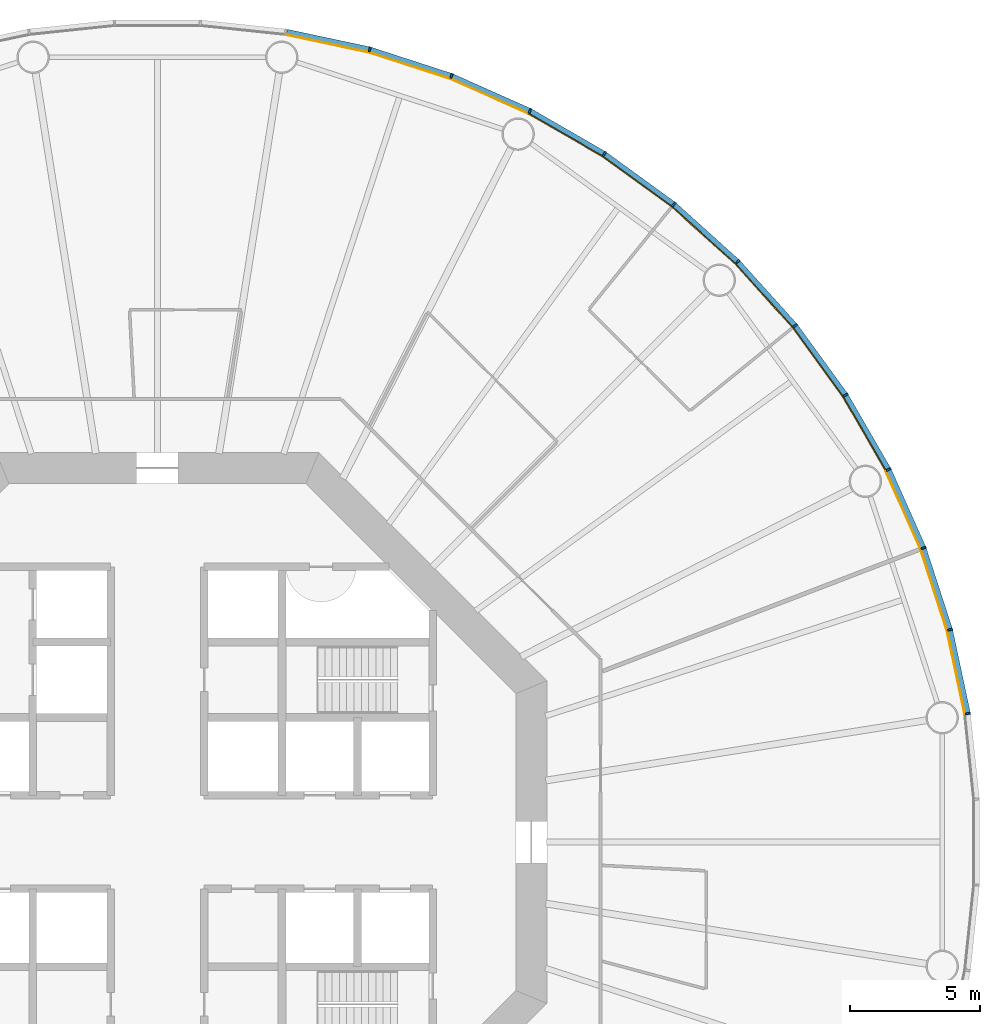
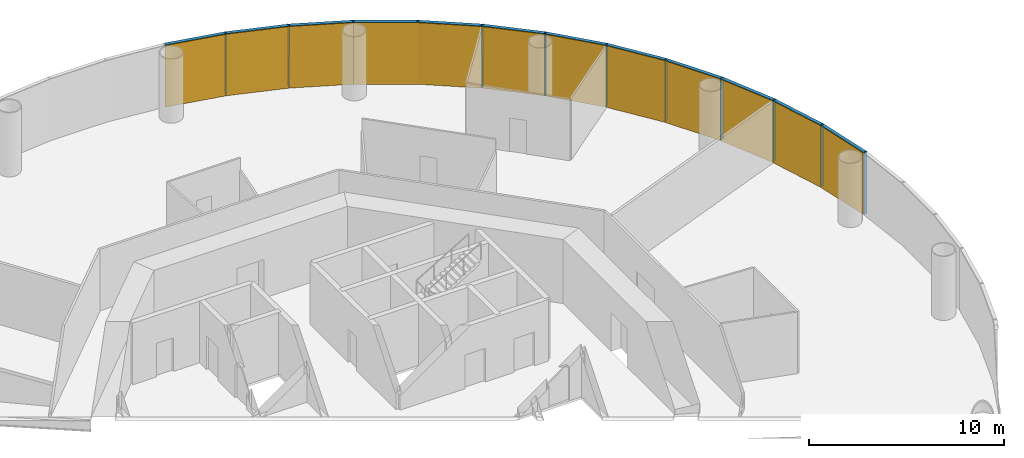
# One storey, part 12 of 13: 24 members, 4 curtain walls.
"""IFC4 building model written with IfcOpenShell, lengths in metres."""

from ifc_helpers import new_model, si_unit, direction, frame, origin, origin_2d, place, context, subcontext, project, spatial, polyline, rectangle, outline, extrude, material, layer, layer_set, material_profile, profile_set, type_object, element, aggregate, save


model = new_model("IFC4")

# Units and contexts
model_context = context("Model", 3, precision=1e-05, world=origin(), true_north=direction((0.0, 1.0)))
body_context = subcontext(model_context, "Body", "Model", "MODEL_VIEW")
ifc_project = project(units=[si_unit("LENGTHUNIT", "METRE"), si_unit("AREAUNIT", "SQUARE_METRE"), si_unit("VOLUMEUNIT", "CUBIC_METRE"), si_unit("PLANEANGLEUNIT", "RADIAN"), si_unit("MASSUNIT", "GRAM", prefix="KILO")], contexts=[model_context])

# Member
ifc_material_1 = material(Name="Anodised aluminium", Category="aluminium")
ifc_material_profile_1 = material_profile(ifc_material_1, rectangle(XDim=0.070068359375, YDim=0.199951171875, at=origin_2d()), Name="Mullion 70 x 200 mm anodised aluminium")
ifc_profile_set_1 = profile_set([ifc_material_profile_1], Name="Anodised aluminium")
member_type_1 = type_object("IfcMemberType", Name="Mullion 70 x 200 mm anodised aluminium", PredefinedType="MULLION", material=ifc_profile_set_1)
site_placement = place(None, origin())
building_placement = place(site_placement, origin())
storey_placement = place(building_placement, frame((0.0, 0.0, 108.0)))
member_1_placement = place(storey_placement, frame((121.2109375, 84.943359375, 0.0), z_axis=(0.0, 0.0, 1.0), x_axis=(-0.15643446504, 0.987688340595, 0.0)))
member_1 = element("IfcMember", 1, at=member_1_placement, type_object=member_type_1, Name="MULLION L24-00", PredefinedType="MULLION", context=body_context, shape_type="SweptSolid", body=[
    extrude(rectangle(XDim=0.070068359375, YDim=0.199951171875, at=origin_2d()), origin(), (0.0, 0.0, 1.0), 3.85009765625),
])

member_2_placement = place(storey_placement, frame((120.523193359375, 88.1787109375, 0.0), z_axis=(0.0, 0.0, 1.0), x_axis=(-0.258819045103, 0.965925826289, 0.0)))
member_2 = element("IfcMember", 2, at=member_2_placement, type_object=member_type_1, Name="MULLION L24-01", PredefinedType="MULLION", context=body_context, shape_type="SweptSolid", body=[
    extrude(rectangle(XDim=0.070068359375, YDim=0.199951171875, at=origin_2d()), origin(), (0.0, 0.0, 1.0), 3.85009765625),
])

member_3_placement = place(storey_placement, frame((119.501220703125, 91.324462890625, 0.0), z_axis=(0.0, 0.0, 1.0), x_axis=(-0.358367949545, 0.933580426497, 0.0)))
member_3 = element("IfcMember", 3, at=member_3_placement, type_object=member_type_1, Name="MULLION L24-02", PredefinedType="MULLION", context=body_context, shape_type="SweptSolid", body=[
    extrude(rectangle(XDim=0.070068359375, YDim=0.199951171875, at=origin_2d()), origin(), (0.0, 0.0, 1.0), 3.85009765625),
])

member_4_placement = place(storey_placement, frame((118.15576171875, 94.34619140625, 0.0), z_axis=(0.0, 0.0, 1.0), x_axis=(-0.45399049974, 0.891006524188, 0.0)))
member_4 = element("IfcMember", 4, at=member_4_placement, type_object=member_type_1, Name="MULLION L24-03", PredefinedType="MULLION", context=body_context, shape_type="SweptSolid", body=[
    extrude(rectangle(XDim=0.070068359375, YDim=0.199951171875, at=origin_2d()), origin(), (0.0, 0.0, 1.0), 3.85009765625),
])

member_5_placement = place(storey_placement, frame((116.501953125, 97.210693359375, 0.0), z_axis=(0.0, 0.0, 1.0), x_axis=(-0.544639035015, 0.838670567945, 0.0)))
member_5 = element("IfcMember", 5, at=member_5_placement, type_object=member_type_1, Name="MULLION L24-04", PredefinedType="MULLION", context=body_context, shape_type="SweptSolid", body=[
    extrude(rectangle(XDim=0.070068359375, YDim=0.199951171875, at=origin_2d()), origin(), (0.0, 0.0, 1.0), 3.85009765625),
])

member_6_placement = place(storey_placement, frame((114.557861328125, 99.886474609375, 0.0), z_axis=(0.0, 0.0, 1.0), x_axis=(-0.62932039105, 0.777145961457, 0.0)))
member_6 = element("IfcMember", 6, at=member_6_placement, type_object=member_type_1, Name="MULLION L24-05", PredefinedType="MULLION", context=body_context, shape_type="SweptSolid", body=[
    extrude(rectangle(XDim=0.070068359375, YDim=0.199951171875, at=origin_2d()), origin(), (0.0, 0.0, 1.0), 3.85009765625),
])

member_7_placement = place(storey_placement, frame((112.344482421875, 102.344482421875, 0.0), z_axis=(0.0, 0.0, 1.0), x_axis=(-0.707106781187, 0.707106781187, 0.0)))
member_7 = element("IfcMember", 7, at=member_7_placement, type_object=member_type_1, Name="MULLION L24-06", PredefinedType="MULLION", context=body_context, shape_type="SweptSolid", body=[
    extrude(rectangle(XDim=0.070068359375, YDim=0.199951171875, at=origin_2d()), origin(), (0.0, 0.0, 1.0), 3.85009765625),
])

member_8_placement = place(storey_placement, frame((109.886474609375, 104.557861328125, 0.0), z_axis=(0.0, 0.0, 1.0), x_axis=(-0.777145961457, 0.62932039105, 0.0)))
member_8 = element("IfcMember", 8, at=member_8_placement, type_object=member_type_1, Name="MULLION L24-07", PredefinedType="MULLION", context=body_context, shape_type="SweptSolid", body=[
    extrude(rectangle(XDim=0.070068359375, YDim=0.199951171875, at=origin_2d()), origin(), (0.0, 0.0, 1.0), 3.85009765625),
])

member_9_placement = place(storey_placement, frame((107.210693359375, 106.501953125, 0.0), z_axis=(0.0, 0.0, 1.0), x_axis=(-0.838670567945, 0.544639035015, 0.0)))
member_9 = element("IfcMember", 9, at=member_9_placement, type_object=member_type_1, Name="MULLION L24-08", PredefinedType="MULLION", context=body_context, shape_type="SweptSolid", body=[
    extrude(rectangle(XDim=0.070068359375, YDim=0.199951171875, at=origin_2d()), origin(), (0.0, 0.0, 1.0), 3.85009765625),
])

member_10_placement = place(storey_placement, frame((104.34619140625, 108.15576171875, 0.0), z_axis=(0.0, 0.0, 1.0), x_axis=(-0.891006524188, 0.45399049974, 0.0)))
member_10 = element("IfcMember", 10, at=member_10_placement, type_object=member_type_1, Name="MULLION L24-09", PredefinedType="MULLION", context=body_context, shape_type="SweptSolid", body=[
    extrude(rectangle(XDim=0.070068359375, YDim=0.199951171875, at=origin_2d()), origin(), (0.0, 0.0, 1.0), 3.85009765625),
])

member_11_placement = place(storey_placement, frame((101.324462890625, 109.501220703125, 0.0), z_axis=(0.0, 0.0, 1.0), x_axis=(-0.933580426497, 0.358367949545, 0.0)))
member_11 = element("IfcMember", 11, at=member_11_placement, type_object=member_type_1, Name="MULLION L24-10", PredefinedType="MULLION", context=body_context, shape_type="SweptSolid", body=[
    extrude(rectangle(XDim=0.070068359375, YDim=0.199951171875, at=origin_2d()), origin(), (0.0, 0.0, 1.0), 3.85009765625),
])

member_12_placement = place(storey_placement, frame((98.1787109375, 110.523193359375, 0.0), z_axis=(0.0, 0.0, 1.0), x_axis=(-0.965925826289, 0.258819045103, 0.0)))
member_12 = element("IfcMember", 12, at=member_12_placement, type_object=member_type_1, Name="MULLION L24-11", PredefinedType="MULLION", context=body_context, shape_type="SweptSolid", body=[
    extrude(rectangle(XDim=0.070068359375, YDim=0.199951171875, at=origin_2d()), origin(), (0.0, 0.0, 1.0), 3.85009765625),
])

ifc_material_2 = material(Name="Anodised aluminium", Category="aluminium")
ifc_material_profile_2 = material_profile(ifc_material_2, rectangle(XDim=0.199951171875, YDim=0.18994140625, at=origin_2d()), Name="Transom 190 x 200 mm anodised aluminium")
ifc_profile_set_2 = profile_set([ifc_material_profile_2], Name="Anodised aluminium")
member_type_2 = type_object("IfcMemberType", Name="Transom 190 x 200 mm anodised aluminium", PredefinedType="USERDEFINED", material=ifc_profile_set_2)
member_13_placement = place(storey_placement, frame((121.20263671875, 84.982666015625, 3.7548828125), z_axis=(-0.207885898771, 0.978153082647, 0.0), x_axis=(-0.978153082647, -0.207885898771, 0.0)))
member_13 = element("IfcMember", 13, at=member_13_placement, type_object=member_type_2, Name="TRANSOM L24-00", ObjectType="TRANSOM", PredefinedType="USERDEFINED", context=body_context, shape_type="SweptSolid", body=[
    extrude(rectangle(XDim=0.199951171875, YDim=0.18994140625, at=origin_2d()), origin(), (0.0, 0.0, 1.0), 3.227294921875),
])

member_14_placement = place(storey_placement, frame((120.510986328125, 88.217041015625, 3.7548828125), z_axis=(-0.309046726844, 0.951046855117, 0.0), x_axis=(-0.951046855117, -0.309046726844, 0.0)))
member_14 = element("IfcMember", 14, at=member_14_placement, type_object=member_type_2, Name="TRANSOM L24-01", ObjectType="TRANSOM", PredefinedType="USERDEFINED", context=body_context, shape_type="SweptSolid", body=[
    extrude(rectangle(XDim=0.199951171875, YDim=0.18994140625, at=origin_2d()), origin(), (0.0, 0.0, 1.0), 3.22705078125),
])

member_15_placement = place(storey_placement, frame((119.48486328125, 91.361328125, 3.7548828125), z_axis=(-0.406728032322, 0.913549291349, 0.0), x_axis=(-0.913549291349, -0.406728032322, 0.0)))
member_15 = element("IfcMember", 15, at=member_15_placement, type_object=member_type_2, Name="TRANSOM L24-02", ObjectType="TRANSOM", PredefinedType="USERDEFINED", context=body_context, shape_type="SweptSolid", body=[
    extrude(rectangle(XDim=0.199951171875, YDim=0.18994140625, at=origin_2d()), origin(), (0.0, 0.0, 1.0), 3.22705078125),
])

member_16_placement = place(storey_placement, frame((118.1357421875, 94.381103515625, 3.7548828125), z_axis=(-0.500004055213, 0.866023062494, 0.0), x_axis=(-0.866023062494, -0.500004055213, 0.0)))
member_16 = element("IfcMember", 16, at=member_16_placement, type_object=member_type_2, Name="TRANSOM L24-03", ObjectType="TRANSOM", PredefinedType="USERDEFINED", context=body_context, shape_type="SweptSolid", body=[
    extrude(rectangle(XDim=0.199951171875, YDim=0.18994140625, at=origin_2d()), origin(), (0.0, 0.0, 1.0), 3.22705078125),
])

member_17_placement = place(storey_placement, frame((116.478515625, 97.2431640625, 3.7548828125), z_axis=(-0.587802790201, 0.809004252048, 0.0), x_axis=(-0.809004252048, -0.587802790201, 0.0)))
member_17 = element("IfcMember", 17, at=member_17_placement, type_object=member_type_2, Name="TRANSOM L24-04", ObjectType="TRANSOM", PredefinedType="USERDEFINED", context=body_context, shape_type="SweptSolid", body=[
    extrude(rectangle(XDim=0.199951171875, YDim=0.18994140625, at=origin_2d()), origin(), (0.0, 0.0, 1.0), 3.227294921875),
])

member_18_placement = place(storey_placement, frame((114.531005859375, 99.91650390625, 3.7548828125), z_axis=(-0.669144438484, 0.743132370743, 0.0), x_axis=(-0.743132370743, -0.669144438484, 0.0)))
member_18 = element("IfcMember", 18, at=member_18_placement, type_object=member_type_2, Name="TRANSOM L24-05", ObjectType="TRANSOM", PredefinedType="USERDEFINED", context=body_context, shape_type="SweptSolid", body=[
    extrude(rectangle(XDim=0.199951171875, YDim=0.18994140625, at=origin_2d()), origin(), (0.0, 0.0, 1.0), 3.22705078125),
])

member_19_placement = place(storey_placement, frame((112.314697265625, 102.37158203125, 3.7548828125), z_axis=(-0.743132370743, 0.669144438484, 0.0), x_axis=(-0.669144438484, -0.743132370743, 0.0)))
member_19 = element("IfcMember", 19, at=member_19_placement, type_object=member_type_2, Name="TRANSOM L24-06", ObjectType="TRANSOM", PredefinedType="USERDEFINED", context=body_context, shape_type="SweptSolid", body=[
    extrude(rectangle(XDim=0.199951171875, YDim=0.18994140625, at=origin_2d()), origin(), (0.0, 0.0, 1.0), 3.22705078125),
])

member_20_placement = place(storey_placement, frame((109.85400390625, 104.58154296875, 3.7548828125), z_axis=(-0.809004252048, 0.587802790201, 0.0), x_axis=(-0.587802790201, -0.809004252048, 0.0)))
member_20 = element("IfcMember", 20, at=member_20_placement, type_object=member_type_2, Name="TRANSOM L24-07", ObjectType="TRANSOM", PredefinedType="USERDEFINED", context=body_context, shape_type="SweptSolid", body=[
    extrude(rectangle(XDim=0.199951171875, YDim=0.18994140625, at=origin_2d()), origin(), (0.0, 0.0, 1.0), 3.227294921875),
])

member_21_placement = place(storey_placement, frame((107.17578125, 106.522216796875, 3.7548828125), z_axis=(-0.866023062494, 0.500004055213, 0.0), x_axis=(-0.500004055213, -0.866023062494, 0.0)))
member_21 = element("IfcMember", 21, at=member_21_placement, type_object=member_type_2, Name="TRANSOM L24-08", ObjectType="TRANSOM", PredefinedType="USERDEFINED", context=body_context, shape_type="SweptSolid", body=[
    extrude(rectangle(XDim=0.199951171875, YDim=0.18994140625, at=origin_2d()), origin(), (0.0, 0.0, 1.0), 3.22705078125),
])

member_22_placement = place(storey_placement, frame((104.309326171875, 108.17236328125, 3.7548828125), z_axis=(-0.913549291349, 0.406728032322, 0.0), x_axis=(-0.406728032322, -0.913549291349, 0.0)))
member_22 = element("IfcMember", 22, at=member_22_placement, type_object=member_type_2, Name="TRANSOM L24-09", ObjectType="TRANSOM", PredefinedType="USERDEFINED", context=body_context, shape_type="SweptSolid", body=[
    extrude(rectangle(XDim=0.199951171875, YDim=0.18994140625, at=origin_2d()), origin(), (0.0, 0.0, 1.0), 3.22705078125),
])

member_23_placement = place(storey_placement, frame((101.2861328125, 109.513671875, 3.7548828125), z_axis=(-0.951046855117, 0.309046726844, 0.0), x_axis=(-0.309046726844, -0.951046855117, 0.0)))
member_23 = element("IfcMember", 23, at=member_23_placement, type_object=member_type_2, Name="TRANSOM L24-10", ObjectType="TRANSOM", PredefinedType="USERDEFINED", context=body_context, shape_type="SweptSolid", body=[
    extrude(rectangle(XDim=0.199951171875, YDim=0.18994140625, at=origin_2d()), origin(), (0.0, 0.0, 1.0), 3.22705078125),
])

member_24_placement = place(storey_placement, frame((98.139404296875, 110.53173828125, 3.7548828125), z_axis=(-0.978153082647, 0.207885898771, 0.0), x_axis=(-0.207885898771, -0.978153082647, 0.0)))
member_24 = element("IfcMember", 24, at=member_24_placement, type_object=member_type_2, Name="TRANSOM L24-11", ObjectType="TRANSOM", PredefinedType="USERDEFINED", context=body_context, shape_type="SweptSolid", body=[
    extrude(rectangle(XDim=0.199951171875, YDim=0.18994140625, at=origin_2d()), origin(), (0.0, 0.0, 1.0), 3.227294921875),
])

# Site, building, storey
site = spatial("IfcSite", under=ifc_project, at=site_placement, CompositionType="ELEMENT")
building = spatial("IfcBuilding", under=site, at=building_placement, Name="Entoto Ring Tower", CompositionType="ELEMENT")
storey = spatial("IfcBuildingStorey", under=building, at=storey_placement, Name="L24", CompositionType="ELEMENT", Elevation=108.0)

# Curtain wall
ifc_material_3 = material(Name="Clear low-iron glass", Category="glass")
ifc_layer = layer(ifc_material_3, 0.035888671875)
ifc_layer_set = layer_set([ifc_layer], Name="Clear low-iron glass")
curtain_wall_type = type_object("IfcCurtainWallType", Name="Curtain wall system CW2 glazing 36 mm", PredefinedType="NOTDEFINED", material=ifc_layer_set)
curtain_wall_1_placement = place(storey_placement, origin())
curtain_wall_1 = element("IfcCurtainWall", 25, at=curtain_wall_1_placement, inside=storey, type_object=curtain_wall_type, Name="CW2 L24-01", PredefinedType="NOTDEFINED", context=body_context, shape_type="SweptSolid", body=[
    extrude(outline(polyline([(121.1123046875, 84.927734375), (120.4267578125, 88.15283203125), (119.40771484375, 91.28857421875), (118.066650390625, 94.30078125), (118.03466796875, 94.284423828125), (119.3740234375, 91.275634765625), (120.391845703125, 88.1435546875), (121.07666015625, 84.922119140625), (121.1123046875, 84.927734375)])), origin(), (0.0, 0.0, 1.0), 3.85009765625),
])

aggregate(curtain_wall_1, [member_1, member_2, member_3, member_13, member_14, member_15])

curtain_wall_2_placement = place(storey_placement, origin())
curtain_wall_2 = element("IfcCurtainWall", 26, at=curtain_wall_2_placement, inside=storey, type_object=curtain_wall_type, Name="CW2 L24-02", PredefinedType="NOTDEFINED", context=body_context, shape_type="SweptSolid", body=[
    extrude(outline(polyline([(118.066650390625, 94.30078125), (116.418212890625, 97.15625), (114.47998046875, 99.823486328125), (112.27392578125, 102.27392578125), (112.248291015625, 102.248291015625), (114.4521484375, 99.801025390625), (116.387939453125, 97.136474609375), (118.03466796875, 94.284423828125), (118.066650390625, 94.30078125)])), origin(), (0.0, 0.0, 1.0), 3.85009765625),
])

aggregate(curtain_wall_2, [member_4, member_5, member_6, member_16, member_17, member_18])

curtain_wall_3_placement = place(storey_placement, origin())
curtain_wall_3 = element("IfcCurtainWall", 27, at=curtain_wall_3_placement, inside=storey, type_object=curtain_wall_type, Name="CW2 L24-03", PredefinedType="NOTDEFINED", context=body_context, shape_type="SweptSolid", body=[
    extrude(outline(polyline([(112.27392578125, 102.27392578125), (109.823486328125, 104.47998046875), (107.15625, 106.418212890625), (104.30078125, 108.066650390625), (104.284423828125, 108.03466796875), (107.136474609375, 106.387939453125), (109.801025390625, 104.4521484375), (112.248291015625, 102.248291015625), (112.27392578125, 102.27392578125)])), origin(), (0.0, 0.0, 1.0), 3.85009765625),
])

aggregate(curtain_wall_3, [member_7, member_8, member_9, member_19, member_20, member_21])

curtain_wall_4_placement = place(storey_placement, origin())
curtain_wall_4 = element("IfcCurtainWall", 28, at=curtain_wall_4_placement, inside=storey, type_object=curtain_wall_type, Name="CW2 L24-04", PredefinedType="NOTDEFINED", context=body_context, shape_type="SweptSolid", body=[
    extrude(outline(polyline([(104.30078125, 108.066650390625), (101.28857421875, 109.40771484375), (98.15283203125, 110.4267578125), (94.927734375, 111.1123046875), (94.922119140625, 111.07666015625), (98.1435546875, 110.391845703125), (101.275634765625, 109.3740234375), (104.284423828125, 108.03466796875), (104.30078125, 108.066650390625)])), origin(), (0.0, 0.0, 1.0), 3.85009765625),
])

aggregate(curtain_wall_4, [member_10, member_11, member_12, member_22, member_23, member_24])

save(model, "model.ifc")
